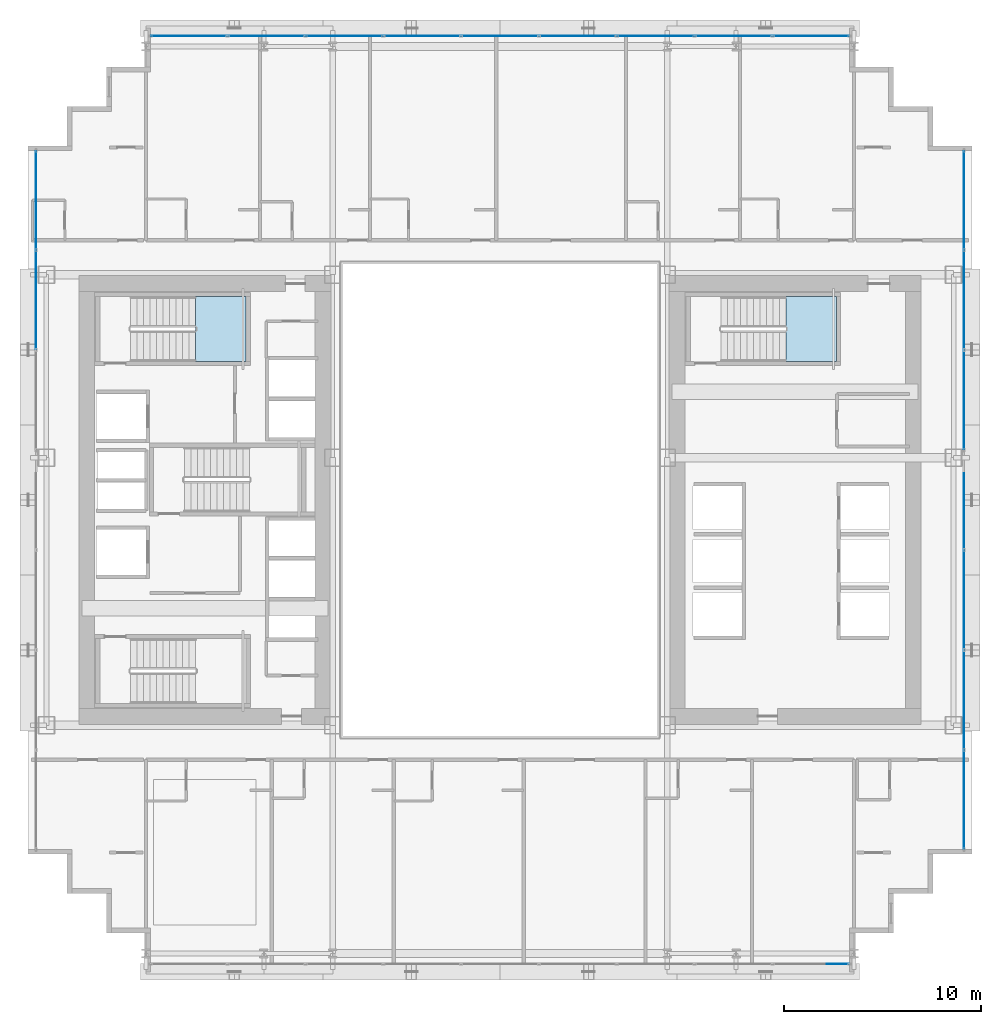
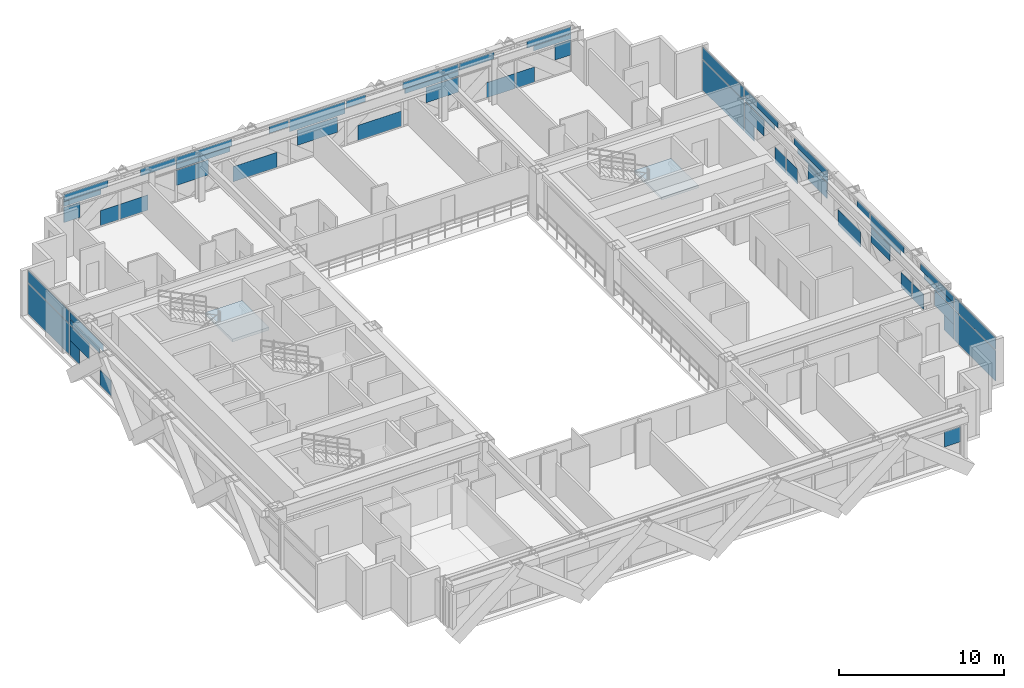
# One storey, part 24 of 35: 56 plates, 2 slabs, 6 elements without a shape of their own.
"""IFC4 building model written with IfcOpenShell, lengths in metres."""

from ifc_helpers import new_model, si_unit, direction, frame, origin, origin_2d, place, context, subcontext, project, spatial, polyline, rectangle, outline, extrude, source, transform, mapped, material, layer, layer_set, type_object, element, aggregate, save


model = new_model("IFC4")

# Units and contexts
model_context = context("Model", 3, precision=1e-05, world=origin(), true_north=direction((0.0, 1.0)))
body_context = subcontext(model_context, "Body", "Model", "MODEL_VIEW")
ifc_project = project(units=[si_unit("LENGTHUNIT", "METRE"), si_unit("AREAUNIT", "SQUARE_METRE"), si_unit("VOLUMEUNIT", "CUBIC_METRE"), si_unit("PLANEANGLEUNIT", "RADIAN"), si_unit("MASSUNIT", "GRAM", prefix="KILO")], contexts=[model_context])

# Site, building, storey
site_placement = place(None, origin())
site = spatial("IfcSite", under=ifc_project, at=site_placement, CompositionType="ELEMENT")
building_placement = place(site_placement, origin())
building = spatial("IfcBuilding", under=site, at=building_placement, Name="Ocotamira Hotel", CompositionType="ELEMENT")
storey_placement = place(building_placement, frame((0.0, 0.0, 49.199951171875)))
storey = spatial("IfcBuildingStorey", under=building, at=storey_placement, Name="L11", CompositionType="ELEMENT", Elevation=49.199951171875)

# Stair, slab
ifc_material_1 = material(Name="Concrete C40/50", Category="concrete")
stair_type = type_object("IfcStairType", Name="ST-CORE-1560", PredefinedType="HALF_TURN_STAIR", material=ifc_material_1)
stair_1_placement = place(storey_placement, origin())
stair_1 = element("IfcStair", 1, at=stair_1_placement, inside=storey, type_object=stair_type, Name="L11 Exit Stair ST-2", PredefinedType="HALF_TURN_STAIR")
ifc_layer_1 = layer(ifc_material_1, 0.199951171875)
ifc_layer_set_1 = layer_set([ifc_layer_1], Name="Concrete C40/50")
slab_type = type_object("IfcSlabType", Name="SLB-LAND-200", PredefinedType="LANDING", material=ifc_layer_set_1)
slab_1_placement = place(storey_placement, frame((0.0, 0.0, 1.60009765625)))
slab_1 = element("IfcSlab", 2, at=slab_1_placement, type_object=slab_type, Name="ST-2 landing 1", PredefinedType="LANDING", context=body_context, shape_type="SweptSolid", body=[
    extrude(outline(polyline([(16.530029296875, 33.050048828125), (19.090087890625, 33.050048828125), (19.090087890625, 36.330078125), (16.530029296875, 36.330078125), (16.530029296875, 33.050048828125)])), origin(), (0.0, 0.0, 1.0), 0.199951171875),
])
aggregate(stair_1, [slab_1])

stair_2_placement = place(storey_placement, origin())
stair_2 = element("IfcStair", 3, at=stair_2_placement, inside=storey, type_object=stair_type, Name="L11 Exit Stair ST-4", PredefinedType="HALF_TURN_STAIR")
slab_2_placement = place(storey_placement, frame((0.0, 0.0, 1.60009765625)))
slab_2 = element("IfcSlab", 4, at=slab_2_placement, type_object=slab_type, Name="ST-4 landing 1", PredefinedType="LANDING", context=body_context, shape_type="SweptSolid", body=[
    extrude(outline(polyline([(46.530029296875, 33.050048828125), (49.090087890625, 33.050048828125), (49.090087890625, 36.330078125), (46.530029296875, 36.330078125), (46.530029296875, 33.050048828125)])), origin(), (0.0, 0.0, 1.0), 0.199951171875),
])
aggregate(stair_2, [slab_2])

# Curtain wall, plates
ifc_material_2 = material(Name="Anodised pale-metal aluminium and solar glass", Category="aluminium")
ifc_layer_2 = layer(ifc_material_2, 0.179931640625)
ifc_layer_set_2 = layer_set([ifc_layer_2], Name="Anodised pale-metal aluminium and solar glass")
curtain_wall_type = type_object("IfcCurtainWallType", Name="CW-SYS2-Z1", PredefinedType="NOTDEFINED", material=ifc_layer_set_2)
curtain_wall_1_placement = place(storey_placement, origin())
curtain_wall_1 = element("IfcCurtainWall", 5, at=curtain_wall_1_placement, inside=storey, type_object=curtain_wall_type, Name="L11 Curtain Wall CW-2 CW-L11-N", PredefinedType="NOTDEFINED")
ifc_material_3 = material(Name="Double-silver low-E insulated solar glass", Category="glass")
ifc_layer_3 = layer(ifc_material_3, 0.031982421875)
ifc_layer_set_3 = layer_set([ifc_layer_3], Name="Double-silver low-E insulated solar glass")
plate_type = type_object("IfcPlateType", Name="CWP-VISION-32", PredefinedType="CURTAIN_PANEL", material=ifc_layer_set_3)
shared_shape_1 = source(origin(), body_context, "Body", "SweptSolid", [
    extrude(rectangle(XDim=1.278076171875, YDim=0.031982421875, at=origin_2d()), origin(), (0.0, 0.0, 1.0), 1.11865234375),
])
plate_1_placement = place(storey_placement, frame((17.4765625, 49.580078125, 0.0751953125), z_axis=(0.0, 0.0, 1.0), x_axis=(1.0, 0.0, 0.0)))
plate_1 = element("IfcPlate", 6, at=plate_1_placement, type_object=plate_type, Name="CW-2 panel 1.1.2", PredefinedType="CURTAIN_PANEL", context=body_context, shape_type="MappedRepresentation", body=[
    mapped(shared_shape_1, transform((0.0, 0.0, 0.0), scale=1.0)),
])
plate_2_placement = place(storey_placement, frame((46.5234375, 49.580078125, 0.0751953125), z_axis=(0.0, 0.0, 1.0), x_axis=(1.0, 0.0, 0.0)))
plate_2 = element("IfcPlate", 7, at=plate_2_placement, type_object=plate_type, Name="CW-2 panel 9.1.1", PredefinedType="CURTAIN_PANEL", context=body_context, shape_type="MappedRepresentation", body=[
    mapped(shared_shape_1, transform((0.0, 0.0, 0.0), scale=1.0)),
])
shared_shape_2 = source(origin(), body_context, "Body", "SweptSolid", [
    extrude(rectangle(XDim=2.60888671875, YDim=0.031982421875, at=origin_2d()), origin(), (0.0, 0.0, 1.0), 0.345458984375),
])
plate_3_placement = place(storey_placement, frame((15.58447265625, 49.580078125, 2.3876953125), z_axis=(0.0, 0.0, 1.0), x_axis=(1.0, 0.0, 0.0)))
plate_3 = element("IfcPlate", 8, at=plate_3_placement, type_object=plate_type, Name="CW-2 panel 1.2.1", PredefinedType="CURTAIN_PANEL", context=body_context, shape_type="MappedRepresentation", body=[
    mapped(shared_shape_2, transform((0.0, 0.0, 0.0), scale=1.0)),
])
plate_4_placement = place(storey_placement, frame((48.41552734375, 49.580078125, 2.3876953125), z_axis=(0.0, 0.0, 1.0), x_axis=(1.0, 0.0, 0.0)))
plate_4 = element("IfcPlate", 9, at=plate_4_placement, type_object=plate_type, Name="CW-2 panel 9.2.2", PredefinedType="CURTAIN_PANEL", context=body_context, shape_type="MappedRepresentation", body=[
    mapped(shared_shape_2, transform((0.0, 0.0, 0.0), scale=1.0)),
])
shared_shape_3 = source(origin(), body_context, "Body", "SweptSolid", [
    extrude(rectangle(XDim=3.079833984375, YDim=0.031982421875, at=origin_2d()), origin(), (0.0, 0.0, 1.0), 0.5107421875),
])
plate_5_placement = place(storey_placement, frame((15.820068359375, 49.580078125, 2.76416015625), z_axis=(0.0, 0.0, 1.0), x_axis=(1.0, 0.0, 0.0)))
plate_5 = element("IfcPlate", 10, at=plate_5_placement, type_object=plate_type, Name="CW-2 panel 1.2.2", PredefinedType="CURTAIN_PANEL", context=body_context, shape_type="MappedRepresentation", body=[
    mapped(shared_shape_3, transform((0.0, 0.0, 0.0), scale=1.0)),
])
plate_6_placement = place(storey_placement, frame((48.179931640625, 49.580078125, 2.76416015625), z_axis=(0.0, 0.0, 1.0), x_axis=(1.0, 0.0, 0.0)))
plate_6 = element("IfcPlate", 11, at=plate_6_placement, type_object=plate_type, Name="CW-2 panel 9.2.1", PredefinedType="CURTAIN_PANEL", context=body_context, shape_type="MappedRepresentation", body=[
    mapped(shared_shape_3, transform((0.0, 0.0, 0.0), scale=1.0)),
])
shared_shape_4 = source(origin(), body_context, "Body", "SweptSolid", [
    extrude(rectangle(XDim=1.966796875, YDim=0.031982421875, at=origin_2d()), origin(), (0.0, 0.0, 1.0), 1.11865234375),
])
plate_7_placement = place(storey_placement, frame((19.178955078125, 49.580078125, 0.0751953125), z_axis=(0.0, 0.0, 1.0), x_axis=(1.0, 0.0, 0.0)))
plate_7 = element("IfcPlate", 12, at=plate_7_placement, type_object=plate_type, Name="CW-2 panel 2.1.1", PredefinedType="CURTAIN_PANEL", context=body_context, shape_type="MappedRepresentation", body=[
    mapped(shared_shape_4, transform((0.0, 0.0, 0.0), scale=1.0)),
])
plate_8_placement = place(storey_placement, frame((44.821044921875, 49.580078125, 0.0751953125), z_axis=(0.0, 0.0, 1.0), x_axis=(1.0, 0.0, 0.0)))
plate_8 = element("IfcPlate", 13, at=plate_8_placement, type_object=plate_type, Name="CW-2 panel 8.1.1", PredefinedType="CURTAIN_PANEL", context=body_context, shape_type="MappedRepresentation", body=[
    mapped(shared_shape_4, transform((0.0, 0.0, 0.0), scale=1.0)),
])
shared_shape_5 = source(origin(), body_context, "Body", "SweptSolid", [
    extrude(rectangle(XDim=2.430908203125, YDim=0.031982421875, at=origin_2d()), origin(), (0.0, 0.0, 1.0), 0.5107421875),
])
plate_9_placement = place(storey_placement, frame((20.855712890625, 49.580078125, 2.76416015625), z_axis=(0.0, 0.0, 1.0), x_axis=(1.0, 0.0, 0.0)))
plate_9 = element("IfcPlate", 14, at=plate_9_placement, type_object=plate_type, Name="CW-2 panel 2.2.1", PredefinedType="CURTAIN_PANEL", context=body_context, shape_type="MappedRepresentation", body=[
    mapped(shared_shape_5, transform((0.0, 0.0, 0.0), scale=1.0)),
])
plate_10_placement = place(storey_placement, frame((43.144287109375, 49.580078125, 2.76416015625), z_axis=(0.0, 0.0, 1.0), x_axis=(1.0, 0.0, 0.0)))
plate_10 = element("IfcPlate", 15, at=plate_10_placement, type_object=plate_type, Name="CW-2 panel 8.2.1", PredefinedType="CURTAIN_PANEL", context=body_context, shape_type="MappedRepresentation", body=[
    mapped(shared_shape_5, transform((0.0, 0.0, 0.0), scale=1.0)),
])
shared_shape_6 = source(origin(), body_context, "Body", "SweptSolid", [
    extrude(rectangle(XDim=3.73779296875, YDim=0.031982421875, at=origin_2d()), origin(), (0.0, 0.0, 1.0), 0.376708984375),
])
plate_11_placement = place(storey_placement, frame((24.02001953125, 49.580078125, 2.3876953125), z_axis=(0.0, 0.0, 1.0), x_axis=(1.0, 0.0, 0.0)))
plate_11 = element("IfcPlate", 16, at=plate_11_placement, type_object=plate_type, Name="CW-2 panel 3.2.1", PredefinedType="CURTAIN_PANEL", context=body_context, shape_type="MappedRepresentation", body=[
    mapped(shared_shape_6, transform((0.0, 0.0, 0.0), scale=1.0)),
])
plate_12_placement = place(storey_placement, frame((39.97998046875, 49.580078125, 2.3876953125), z_axis=(0.0, 0.0, 1.0), x_axis=(1.0, 0.0, 0.0)))
plate_12 = element("IfcPlate", 17, at=plate_12_placement, type_object=plate_type, Name="CW-2 panel 7.2.2", PredefinedType="CURTAIN_PANEL", context=body_context, shape_type="MappedRepresentation", body=[
    mapped(shared_shape_6, transform((0.0, 0.0, 0.0), scale=1.0)),
])
shared_shape_7 = source(origin(), body_context, "Body", "SweptSolid", [
    extrude(rectangle(XDim=3.87548828125, YDim=0.031982421875, at=origin_2d()), origin(), (0.0, 0.0, 1.0), 0.5107421875),
])
plate_13_placement = place(storey_placement, frame((24.0888671875, 49.580078125, 2.76416015625), z_axis=(0.0, 0.0, 1.0), x_axis=(1.0, 0.0, 0.0)))
plate_13 = element("IfcPlate", 18, at=plate_13_placement, type_object=plate_type, Name="CW-2 panel 3.2.2", PredefinedType="CURTAIN_PANEL", context=body_context, shape_type="MappedRepresentation", body=[
    mapped(shared_shape_7, transform((0.0, 0.0, 0.0), scale=1.0)),
])
plate_14_placement = place(storey_placement, frame((39.9111328125, 49.580078125, 2.76416015625), z_axis=(0.0, 0.0, 1.0), x_axis=(1.0, 0.0, 0.0)))
plate_14 = element("IfcPlate", 19, at=plate_14_placement, type_object=plate_type, Name="CW-2 panel 7.2.1", PredefinedType="CURTAIN_PANEL", context=body_context, shape_type="MappedRepresentation", body=[
    mapped(shared_shape_7, transform((0.0, 0.0, 0.0), scale=1.0)),
])
shared_shape_8 = source(origin(), body_context, "Body", "SweptSolid", [
    extrude(rectangle(XDim=3.055908203125, YDim=0.031982421875, at=origin_2d()), origin(), (0.0, 0.0, 1.0), 1.11865234375),
])
plate_15_placement = place(storey_placement, frame((27.634521484375, 49.580078125, 0.0751953125), z_axis=(0.0, 0.0, 1.0), x_axis=(1.0, 0.0, 0.0)))
plate_15 = element("IfcPlate", 20, at=plate_15_placement, type_object=plate_type, Name="CW-2 panel 4.1.1", PredefinedType="CURTAIN_PANEL", context=body_context, shape_type="MappedRepresentation", body=[
    mapped(shared_shape_8, transform((0.0, 0.0, 0.0), scale=1.0)),
])
plate_16_placement = place(storey_placement, frame((36.365478515625, 49.580078125, 0.0751953125), z_axis=(0.0, 0.0, 1.0), x_axis=(1.0, 0.0, 0.0)))
plate_16 = element("IfcPlate", 21, at=plate_16_placement, type_object=plate_type, Name="CW-2 panel 6.1.1", PredefinedType="CURTAIN_PANEL", context=body_context, shape_type="MappedRepresentation", body=[
    mapped(shared_shape_8, transform((0.0, 0.0, 0.0), scale=1.0)),
])
shared_shape_9 = source(origin(), body_context, "Body", "SweptSolid", [
    extrude(rectangle(XDim=1.34228515625, YDim=0.031982421875, at=origin_2d()), origin(), (0.0, 0.0, 1.0), 0.5107421875),
])
plate_17_placement = place(storey_placement, frame((29.31103515625, 49.580078125, 2.76416015625), z_axis=(0.0, 0.0, 1.0), x_axis=(1.0, 0.0, 0.0)))
plate_17 = element("IfcPlate", 22, at=plate_17_placement, type_object=plate_type, Name="CW-2 panel 4.2.1", PredefinedType="CURTAIN_PANEL", context=body_context, shape_type="MappedRepresentation", body=[
    mapped(shared_shape_9, transform((0.0, 0.0, 0.0), scale=1.0)),
])
plate_18_placement = place(storey_placement, frame((34.68896484375, 49.580078125, 2.76416015625), z_axis=(0.0, 0.0, 1.0), x_axis=(1.0, 0.0, 0.0)))
plate_18 = element("IfcPlate", 23, at=plate_18_placement, type_object=plate_type, Name="CW-2 panel 6.2.1", PredefinedType="CURTAIN_PANEL", context=body_context, shape_type="MappedRepresentation", body=[
    mapped(shared_shape_9, transform((0.0, 0.0, 0.0), scale=1.0)),
])
shared_shape_10 = source(origin(), body_context, "Body", "SweptSolid", [
    extrude(rectangle(XDim=3.87548828125, YDim=0.031982421875, at=origin_2d()), origin(), (0.0, 0.0, 1.0), 0.887451171875),
])
plate_19_placement = place(storey_placement, frame((32.0, 49.580078125, 2.3876953125), z_axis=(0.0, 0.0, 1.0), x_axis=(1.0, 0.0, 0.0)))
plate_19 = element("IfcPlate", 24, at=plate_19_placement, type_object=plate_type, Name="CW-2 panel 5.2", PredefinedType="CURTAIN_PANEL", context=body_context, shape_type="MappedRepresentation", body=[
    mapped(shared_shape_10, transform((0.0, 0.0, 0.0), scale=1.0)),
])

# Curtain wall, plate
curtain_wall_2_placement = place(storey_placement, origin())
curtain_wall_2 = element("IfcCurtainWall", 25, at=curtain_wall_2_placement, inside=storey, type_object=curtain_wall_type, Name="L11 Curtain Wall CW-2 CW-L11-W", PredefinedType="NOTDEFINED")
shared_shape_11 = source(origin(), body_context, "Body", "SweptSolid", [
    extrude(rectangle(XDim=4.9658203125, YDim=0.031982421875, at=origin_2d()), origin(), (0.0, 0.0, 1.0), 2.237548828125),
])
plate_20_placement = place(storey_placement, frame((8.419921875, 41.237060546875, 0.0751953125), z_axis=(0.0, 0.0, 1.0), x_axis=(0.0, 1.0, 0.0)))
plate_20 = element("IfcPlate", 26, at=plate_20_placement, type_object=plate_type, Name="CW-2 panel 7.1", PredefinedType="CURTAIN_PANEL", context=body_context, shape_type="MappedRepresentation", body=[
    mapped(shared_shape_11, transform((0.0, 0.0, 0.0), scale=1.0)),
])

# Curtain wall, plates
curtain_wall_3_placement = place(storey_placement, origin())
curtain_wall_3 = element("IfcCurtainWall", 27, at=curtain_wall_3_placement, inside=storey, type_object=curtain_wall_type, Name="L11 Curtain Wall CW-2 CW-L11-E", PredefinedType="NOTDEFINED")
plate_21_placement = place(storey_placement, frame((55.580078125, 10.762939453125, 0.0751953125), z_axis=(0.0, 0.0, 1.0), x_axis=(0.0, 1.0, 0.0)))
plate_21 = element("IfcPlate", 28, at=plate_21_placement, type_object=plate_type, Name="CW-2 panel 1.1", PredefinedType="CURTAIN_PANEL", context=body_context, shape_type="MappedRepresentation", body=[
    mapped(shared_shape_11, transform((0.0, 0.0, 0.0), scale=1.0)),
])
plate_22_placement = place(storey_placement, frame((55.580078125, 41.237060546875, 0.0751953125), z_axis=(0.0, 0.0, 1.0), x_axis=(0.0, 1.0, 0.0)))
plate_22 = element("IfcPlate", 29, at=plate_22_placement, type_object=plate_type, Name="CW-2 panel 7.1", PredefinedType="CURTAIN_PANEL", context=body_context, shape_type="MappedRepresentation", body=[
    mapped(shared_shape_11, transform((0.0, 0.0, 0.0), scale=1.0)),
])

# Plate
shared_shape_12 = source(origin(), body_context, "Body", "SweptSolid", [
    extrude(rectangle(XDim=4.9658203125, YDim=0.031982421875, at=origin_2d()), origin(), (0.0, 0.0, 1.0), 0.887451171875),
])
plate_23_placement = place(storey_placement, frame((8.419921875, 41.237060546875, 2.3876953125), z_axis=(0.0, 0.0, 1.0), x_axis=(0.0, 1.0, 0.0)))
plate_23 = element("IfcPlate", 30, at=plate_23_placement, type_object=plate_type, Name="CW-2 panel 7.2", PredefinedType="CURTAIN_PANEL", context=body_context, shape_type="MappedRepresentation", body=[
    mapped(shared_shape_12, transform((0.0, 0.0, 0.0), scale=1.0)),
])

plate_24_placement = place(storey_placement, frame((55.580078125, 10.762939453125, 2.3876953125), z_axis=(0.0, 0.0, 1.0), x_axis=(0.0, 1.0, 0.0)))
plate_24 = element("IfcPlate", 31, at=plate_24_placement, type_object=plate_type, Name="CW-2 panel 1.2", PredefinedType="CURTAIN_PANEL", context=body_context, shape_type="MappedRepresentation", body=[
    mapped(shared_shape_12, transform((0.0, 0.0, 0.0), scale=1.0)),
])

plate_25_placement = place(storey_placement, frame((55.580078125, 41.237060546875, 2.3876953125), z_axis=(0.0, 0.0, 1.0), x_axis=(0.0, 1.0, 0.0)))
plate_25 = element("IfcPlate", 32, at=plate_25_placement, type_object=plate_type, Name="CW-2 panel 7.2", PredefinedType="CURTAIN_PANEL", context=body_context, shape_type="MappedRepresentation", body=[
    mapped(shared_shape_12, transform((0.0, 0.0, 0.0), scale=1.0)),
])

shared_shape_13 = source(origin(), body_context, "Body", "SweptSolid", [
    extrude(rectangle(XDim=1.177978515625, YDim=0.031982421875, at=origin_2d()), origin(), (0.0, 0.0, 1.0), 1.11865234375),
])
plate_26_placement = place(storey_placement, frame((8.419921875, 38.085205078125, 0.0751953125), z_axis=(0.0, 0.0, 1.0), x_axis=(0.0, 1.0, 0.0)))
plate_26 = element("IfcPlate", 33, at=plate_26_placement, type_object=plate_type, Name="CW-2 panel 6.1.3", PredefinedType="CURTAIN_PANEL", context=body_context, shape_type="MappedRepresentation", body=[
    mapped(shared_shape_13, transform((0.0, 0.0, 0.0), scale=1.0)),
])

plate_27_placement = place(storey_placement, frame((55.580078125, 13.914794921875, 0.0751953125), z_axis=(0.0, 0.0, 1.0), x_axis=(0.0, 1.0, 0.0)))
plate_27 = element("IfcPlate", 34, at=plate_27_placement, type_object=plate_type, Name="CW-2 panel 2.1.1", PredefinedType="CURTAIN_PANEL", context=body_context, shape_type="MappedRepresentation", body=[
    mapped(shared_shape_13, transform((0.0, 0.0, 0.0), scale=1.0)),
])

plate_28_placement = place(storey_placement, frame((55.580078125, 38.085205078125, 0.0751953125), z_axis=(0.0, 0.0, 1.0), x_axis=(0.0, 1.0, 0.0)))
plate_28 = element("IfcPlate", 35, at=plate_28_placement, type_object=plate_type, Name="CW-2 panel 6.1.3", PredefinedType="CURTAIN_PANEL", context=body_context, shape_type="MappedRepresentation", body=[
    mapped(shared_shape_13, transform((0.0, 0.0, 0.0), scale=1.0)),
])

shared_shape_14 = source(origin(), body_context, "Body", "SweptSolid", [
    extrude(rectangle(XDim=1.330078125, YDim=0.031982421875, at=origin_2d()), origin(), (0.0, 0.0, 1.0), 1.11865234375),
])
plate_29_placement = place(storey_placement, frame((8.419921875, 34.33349609375, 0.0751953125), z_axis=(0.0, 0.0, 1.0), x_axis=(0.0, 1.0, 0.0)))
plate_29 = element("IfcPlate", 36, at=plate_29_placement, type_object=plate_type, Name="CW-2 panel 6.1.1", PredefinedType="CURTAIN_PANEL", context=body_context, shape_type="MappedRepresentation", body=[
    mapped(shared_shape_14, transform((0.0, 0.0, 0.0), scale=1.0)),
])

plate_30_placement = place(storey_placement, frame((55.580078125, 17.66650390625, 0.0751953125), z_axis=(0.0, 0.0, 1.0), x_axis=(0.0, 1.0, 0.0)))
plate_30 = element("IfcPlate", 37, at=plate_30_placement, type_object=plate_type, Name="CW-2 panel 2.1.3", PredefinedType="CURTAIN_PANEL", context=body_context, shape_type="MappedRepresentation", body=[
    mapped(shared_shape_14, transform((0.0, 0.0, 0.0), scale=1.0)),
])

plate_31_placement = place(storey_placement, frame((55.580078125, 34.33349609375, 0.0751953125), z_axis=(0.0, 0.0, 1.0), x_axis=(0.0, 1.0, 0.0)))
plate_31 = element("IfcPlate", 38, at=plate_31_placement, type_object=plate_type, Name="CW-2 panel 6.1.1", PredefinedType="CURTAIN_PANEL", context=body_context, shape_type="MappedRepresentation", body=[
    mapped(shared_shape_14, transform((0.0, 0.0, 0.0), scale=1.0)),
])

shared_shape_15 = source(origin(), body_context, "Body", "SweptSolid", [
    extrude(rectangle(XDim=3.629638671875, YDim=0.031982421875, at=origin_2d()), origin(), (0.0, 0.0, 1.0), 0.367919921875),
])
plate_32_placement = place(storey_placement, frame((8.419921875, 36.859375, 2.3876953125), z_axis=(0.0, 0.0, 1.0), x_axis=(0.0, 1.0, 0.0)))
plate_32 = element("IfcPlate", 39, at=plate_32_placement, type_object=plate_type, Name="CW-2 panel 6.2.2", PredefinedType="CURTAIN_PANEL", context=body_context, shape_type="MappedRepresentation", body=[
    mapped(shared_shape_15, transform((0.0, 0.0, 0.0), scale=1.0)),
])

plate_33_placement = place(storey_placement, frame((55.580078125, 15.140625, 2.3876953125), z_axis=(0.0, 0.0, 1.0), x_axis=(0.0, 1.0, 0.0)))
plate_33 = element("IfcPlate", 40, at=plate_33_placement, type_object=plate_type, Name="CW-2 panel 2.2.1", PredefinedType="CURTAIN_PANEL", context=body_context, shape_type="MappedRepresentation", body=[
    mapped(shared_shape_15, transform((0.0, 0.0, 0.0), scale=1.0)),
])

plate_34_placement = place(storey_placement, frame((55.580078125, 36.859375, 2.3876953125), z_axis=(0.0, 0.0, 1.0), x_axis=(0.0, 1.0, 0.0)))
plate_34 = element("IfcPlate", 41, at=plate_34_placement, type_object=plate_type, Name="CW-2 panel 6.2.2", PredefinedType="CURTAIN_PANEL", context=body_context, shape_type="MappedRepresentation", body=[
    mapped(shared_shape_15, transform((0.0, 0.0, 0.0), scale=1.0)),
])

shared_shape_16 = source(origin(), body_context, "Body", "SweptSolid", [
    extrude(rectangle(XDim=4.05615234375, YDim=0.031982421875, at=origin_2d()), origin(), (0.0, 0.0, 1.0), 0.485107421875),
])
plate_35_placement = place(storey_placement, frame((8.419921875, 36.646240234375, 2.7900390625), z_axis=(0.0, 0.0, 1.0), x_axis=(0.0, 1.0, 0.0)))
plate_35 = element("IfcPlate", 42, at=plate_35_placement, type_object=plate_type, Name="CW-2 panel 6.2.1", PredefinedType="CURTAIN_PANEL", context=body_context, shape_type="MappedRepresentation", body=[
    mapped(shared_shape_16, transform((0.0, 0.0, 0.0), scale=1.0)),
])

plate_36_placement = place(storey_placement, frame((55.580078125, 15.353759765625, 2.7900390625), z_axis=(0.0, 0.0, 1.0), x_axis=(0.0, 1.0, 0.0)))
plate_36 = element("IfcPlate", 43, at=plate_36_placement, type_object=plate_type, Name="CW-2 panel 2.2.2", PredefinedType="CURTAIN_PANEL", context=body_context, shape_type="MappedRepresentation", body=[
    mapped(shared_shape_16, transform((0.0, 0.0, 0.0), scale=1.0)),
])

plate_37_placement = place(storey_placement, frame((55.580078125, 36.646240234375, 2.7900390625), z_axis=(0.0, 0.0, 1.0), x_axis=(0.0, 1.0, 0.0)))
plate_37 = element("IfcPlate", 44, at=plate_37_placement, type_object=plate_type, Name="CW-2 panel 6.2.1", PredefinedType="CURTAIN_PANEL", context=body_context, shape_type="MappedRepresentation", body=[
    mapped(shared_shape_16, transform((0.0, 0.0, 0.0), scale=1.0)),
])

shared_shape_17 = source(origin(), body_context, "Body", "SweptSolid", [
    extrude(rectangle(XDim=1.3203125, YDim=0.031982421875, at=origin_2d()), origin(), (0.0, 0.0, 1.0), 1.11865234375),
])
plate_38_placement = place(storey_placement, frame((55.580078125, 19.071533203125, 0.0751953125), z_axis=(0.0, 0.0, 1.0), x_axis=(0.0, 1.0, 0.0)))
plate_38 = element("IfcPlate", 45, at=plate_38_placement, type_object=plate_type, Name="CW-2 panel 3.1.1", PredefinedType="CURTAIN_PANEL", context=body_context, shape_type="MappedRepresentation", body=[
    mapped(shared_shape_17, transform((0.0, 0.0, 0.0), scale=1.0)),
])

plate_39_placement = place(storey_placement, frame((55.580078125, 32.928466796875, 0.0751953125), z_axis=(0.0, 0.0, 1.0), x_axis=(0.0, 1.0, 0.0)))
plate_39 = element("IfcPlate", 46, at=plate_39_placement, type_object=plate_type, Name="CW-2 panel 5.1.2", PredefinedType="CURTAIN_PANEL", context=body_context, shape_type="MappedRepresentation", body=[
    mapped(shared_shape_17, transform((0.0, 0.0, 0.0), scale=1.0)),
])

shared_shape_18 = source(origin(), body_context, "Body", "SweptSolid", [
    extrude(rectangle(XDim=4.06591796875, YDim=0.031982421875, at=origin_2d()), origin(), (0.0, 0.0, 1.0), 0.485107421875),
])
plate_40_placement = place(storey_placement, frame((55.580078125, 21.38427734375, 2.7900390625), z_axis=(0.0, 0.0, 1.0), x_axis=(0.0, 1.0, 0.0)))
plate_40 = element("IfcPlate", 47, at=plate_40_placement, type_object=plate_type, Name="CW-2 panel 3.2.1", PredefinedType="CURTAIN_PANEL", context=body_context, shape_type="MappedRepresentation", body=[
    mapped(shared_shape_18, transform((0.0, 0.0, 0.0), scale=1.0)),
])

plate_41_placement = place(storey_placement, frame((55.580078125, 30.61572265625, 2.7900390625), z_axis=(0.0, 0.0, 1.0), x_axis=(0.0, 1.0, 0.0)))
plate_41 = element("IfcPlate", 48, at=plate_41_placement, type_object=plate_type, Name="CW-2 panel 5.2.2", PredefinedType="CURTAIN_PANEL", context=body_context, shape_type="MappedRepresentation", body=[
    mapped(shared_shape_18, transform((0.0, 0.0, 0.0), scale=1.0)),
])

shared_shape_19 = source(origin(), body_context, "Body", "SweptSolid", [
    extrude(rectangle(XDim=3.639404296875, YDim=0.031982421875, at=origin_2d()), origin(), (0.0, 0.0, 1.0), 0.367919921875),
])
plate_42_placement = place(storey_placement, frame((55.580078125, 21.597412109375, 2.3876953125), z_axis=(0.0, 0.0, 1.0), x_axis=(0.0, 1.0, 0.0)))
plate_42 = element("IfcPlate", 49, at=plate_42_placement, type_object=plate_type, Name="CW-2 panel 3.2.2", PredefinedType="CURTAIN_PANEL", context=body_context, shape_type="MappedRepresentation", body=[
    mapped(shared_shape_19, transform((0.0, 0.0, 0.0), scale=1.0)),
])

plate_43_placement = place(storey_placement, frame((55.580078125, 30.402587890625, 2.3876953125), z_axis=(0.0, 0.0, 1.0), x_axis=(0.0, 1.0, 0.0)))
plate_43 = element("IfcPlate", 50, at=plate_43_placement, type_object=plate_type, Name="CW-2 panel 5.2.1", PredefinedType="CURTAIN_PANEL", context=body_context, shape_type="MappedRepresentation", body=[
    mapped(shared_shape_19, transform((0.0, 0.0, 0.0), scale=1.0)),
])

shared_shape_20 = source(origin(), body_context, "Body", "SweptSolid", [
    extrude(rectangle(XDim=2.730224609375, YDim=0.031982421875, at=origin_2d()), origin(), (0.0, 0.0, 1.0), 1.11865234375),
])
plate_44_placement = place(storey_placement, frame((55.580078125, 26.0, 0.0751953125), z_axis=(0.0, 0.0, 1.0), x_axis=(0.0, 1.0, 0.0)))
plate_44 = element("IfcPlate", 51, at=plate_44_placement, type_object=plate_type, Name="CW-2 panel 4.1.1", PredefinedType="CURTAIN_PANEL", context=body_context, shape_type="MappedRepresentation", body=[
    mapped(shared_shape_20, transform((0.0, 0.0, 0.0), scale=1.0)),
])

shared_shape_21 = source(origin(), body_context, "Body", "SweptSolid", [
    extrude(rectangle(XDim=1.518310546875, YDim=0.031982421875, at=origin_2d()), origin(), (0.0, 0.0, 1.0), 0.485107421875),
])
plate_45_placement = place(storey_placement, frame((55.580078125, 24.256103515625, 2.7900390625), z_axis=(0.0, 0.0, 1.0), x_axis=(0.0, 1.0, 0.0)))
plate_45 = element("IfcPlate", 52, at=plate_45_placement, type_object=plate_type, Name="CW-2 panel 4.2.1", PredefinedType="CURTAIN_PANEL", context=body_context, shape_type="MappedRepresentation", body=[
    mapped(shared_shape_21, transform((0.0, 0.0, 0.0), scale=1.0)),
])

# Curtain wall, plate
curtain_wall_4_placement = place(storey_placement, origin())
curtain_wall_4 = element("IfcCurtainWall", 53, at=curtain_wall_4_placement, inside=storey, type_object=curtain_wall_type, Name="L11 Curtain Wall CW-2 CW-L11-S1", PredefinedType="NOTDEFINED")
shared_shape_22 = source(origin(), body_context, "Body", "SweptSolid", [
    extrude(rectangle(XDim=1.11669921875, YDim=0.031982421875, at=origin_2d()), origin(), (0.0, 0.0, 1.0), 1.118896484375),
])
plate_46_placement = place(storey_placement, frame((49.16162109375, 2.419921875, 1.19384765625), z_axis=(0.0, 0.0, 1.0), x_axis=(1.0, 0.0, 0.0)))
plate_46 = element("IfcPlate", 54, at=plate_46_placement, type_object=plate_type, Name="CW-2 panel 9.1.2", PredefinedType="CURTAIN_PANEL", context=body_context, shape_type="MappedRepresentation", body=[
    mapped(shared_shape_22, transform((0.0, 0.0, 0.0), scale=1.0)),
])
aggregate(curtain_wall_4, [plate_46])

# Plate
plate_47_placement = place(storey_placement, frame((14.83837890625, 49.580078125, 1.19384765625), z_axis=(0.0, 0.0, 1.0), x_axis=(1.0, 0.0, 0.0)))
plate_47 = element("IfcPlate", 55, at=plate_47_placement, type_object=plate_type, Name="CW-2 panel 1.1.1", PredefinedType="CURTAIN_PANEL", context=body_context, shape_type="MappedRepresentation", body=[
    mapped(shared_shape_22, transform((0.0, 0.0, 0.0), scale=1.0)),
])

plate_48_placement = place(storey_placement, frame((49.16162109375, 49.580078125, 1.19384765625), z_axis=(0.0, 0.0, 1.0), x_axis=(1.0, 0.0, 0.0)))
plate_48 = element("IfcPlate", 56, at=plate_48_placement, type_object=plate_type, Name="CW-2 panel 9.1.2", PredefinedType="CURTAIN_PANEL", context=body_context, shape_type="MappedRepresentation", body=[
    mapped(shared_shape_22, transform((0.0, 0.0, 0.0), scale=1.0)),
])

shared_shape_23 = source(origin(), body_context, "Body", "SweptSolid", [
    extrude(rectangle(XDim=2.24560546875, YDim=0.031982421875, at=origin_2d()), origin(), (0.0, 0.0, 1.0), 1.118896484375),
])
plate_49_placement = place(storey_placement, frame((23.27392578125, 49.580078125, 1.19384765625), z_axis=(0.0, 0.0, 1.0), x_axis=(1.0, 0.0, 0.0)))
plate_49 = element("IfcPlate", 57, at=plate_49_placement, type_object=plate_type, Name="CW-2 panel 3.1.1", PredefinedType="CURTAIN_PANEL", context=body_context, shape_type="MappedRepresentation", body=[
    mapped(shared_shape_23, transform((0.0, 0.0, 0.0), scale=1.0)),
])

plate_50_placement = place(storey_placement, frame((40.72607421875, 49.580078125, 1.19384765625), z_axis=(0.0, 0.0, 1.0), x_axis=(1.0, 0.0, 0.0)))
plate_50 = element("IfcPlate", 58, at=plate_50_placement, type_object=plate_type, Name="CW-2 panel 7.1.1", PredefinedType="CURTAIN_PANEL", context=body_context, shape_type="MappedRepresentation", body=[
    mapped(shared_shape_23, transform((0.0, 0.0, 0.0), scale=1.0)),
])

shared_shape_24 = source(origin(), body_context, "Body", "SweptSolid", [
    extrude(rectangle(XDim=2.793701171875, YDim=0.031982421875, at=origin_2d()), origin(), (0.0, 0.0, 1.0), 1.118896484375),
])
plate_51_placement = place(storey_placement, frame((32.0, 49.580078125, 1.19384765625), z_axis=(0.0, 0.0, 1.0), x_axis=(1.0, 0.0, 0.0)))
plate_51 = element("IfcPlate", 59, at=plate_51_placement, type_object=plate_type, Name="CW-2 panel 5.1.1", PredefinedType="CURTAIN_PANEL", context=body_context, shape_type="MappedRepresentation", body=[
    mapped(shared_shape_24, transform((0.0, 0.0, 0.0), scale=1.0)),
])

aggregate(curtain_wall_1, [plate_47, plate_1, plate_3, plate_5, plate_7, plate_9, plate_49, plate_11, plate_13, plate_15, plate_17, plate_51, plate_19, plate_16, plate_18, plate_50, plate_14, plate_12, plate_8, plate_10, plate_2, plate_48, plate_6, plate_4])

shared_shape_25 = source(origin(), body_context, "Body", "SweptSolid", [
    extrude(rectangle(XDim=2.364013671875, YDim=0.031982421875, at=origin_2d()), origin(), (0.0, 0.0, 1.0), 1.118896484375),
])
plate_52_placement = place(storey_placement, frame((8.419921875, 37.4921875, 1.19384765625), z_axis=(0.0, 0.0, 1.0), x_axis=(0.0, 1.0, 0.0)))
plate_52 = element("IfcPlate", 60, at=plate_52_placement, type_object=plate_type, Name="CW-2 panel 6.1.2", PredefinedType="CURTAIN_PANEL", context=body_context, shape_type="MappedRepresentation", body=[
    mapped(shared_shape_25, transform((0.0, 0.0, 0.0), scale=1.0)),
])

aggregate(curtain_wall_2, [plate_29, plate_52, plate_26, plate_35, plate_32, plate_20, plate_23])

plate_53_placement = place(storey_placement, frame((55.580078125, 14.5078125, 1.19384765625), z_axis=(0.0, 0.0, 1.0), x_axis=(0.0, 1.0, 0.0)))
plate_53 = element("IfcPlate", 61, at=plate_53_placement, type_object=plate_type, Name="CW-2 panel 2.1.2", PredefinedType="CURTAIN_PANEL", context=body_context, shape_type="MappedRepresentation", body=[
    mapped(shared_shape_25, transform((0.0, 0.0, 0.0), scale=1.0)),
])

plate_54_placement = place(storey_placement, frame((55.580078125, 37.4921875, 1.19384765625), z_axis=(0.0, 0.0, 1.0), x_axis=(0.0, 1.0, 0.0)))
plate_54 = element("IfcPlate", 62, at=plate_54_placement, type_object=plate_type, Name="CW-2 panel 6.1.2", PredefinedType="CURTAIN_PANEL", context=body_context, shape_type="MappedRepresentation", body=[
    mapped(shared_shape_25, transform((0.0, 0.0, 0.0), scale=1.0)),
])

shared_shape_26 = source(origin(), body_context, "Body", "SweptSolid", [
    extrude(rectangle(XDim=2.27978515625, YDim=0.031982421875, at=origin_2d()), origin(), (0.0, 0.0, 1.0), 1.118896484375),
])
plate_55_placement = place(storey_placement, frame((55.580078125, 22.183349609375, 1.19384765625), z_axis=(0.0, 0.0, 1.0), x_axis=(0.0, 1.0, 0.0)))
plate_55 = element("IfcPlate", 63, at=plate_55_placement, type_object=plate_type, Name="CW-2 panel 3.1.2", PredefinedType="CURTAIN_PANEL", context=body_context, shape_type="MappedRepresentation", body=[
    mapped(shared_shape_26, transform((0.0, 0.0, 0.0), scale=1.0)),
])

plate_56_placement = place(storey_placement, frame((55.580078125, 29.816650390625, 1.19384765625), z_axis=(0.0, 0.0, 1.0), x_axis=(0.0, 1.0, 0.0)))
plate_56 = element("IfcPlate", 64, at=plate_56_placement, type_object=plate_type, Name="CW-2 panel 5.1.1", PredefinedType="CURTAIN_PANEL", context=body_context, shape_type="MappedRepresentation", body=[
    mapped(shared_shape_26, transform((0.0, 0.0, 0.0), scale=1.0)),
])

aggregate(curtain_wall_3, [plate_21, plate_24, plate_27, plate_53, plate_30, plate_33, plate_36, plate_38, plate_55, plate_40, plate_42, plate_44, plate_45, plate_56, plate_39, plate_43, plate_41, plate_31, plate_54, plate_28, plate_37, plate_34, plate_22, plate_25])

save(model, "model.ifc")
